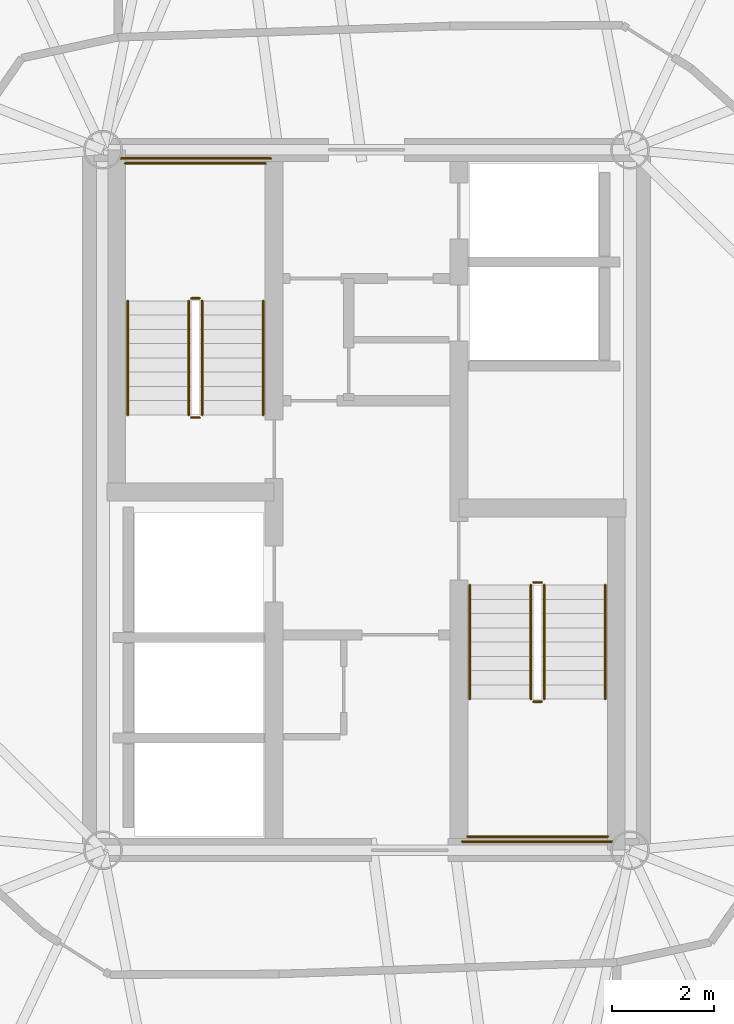
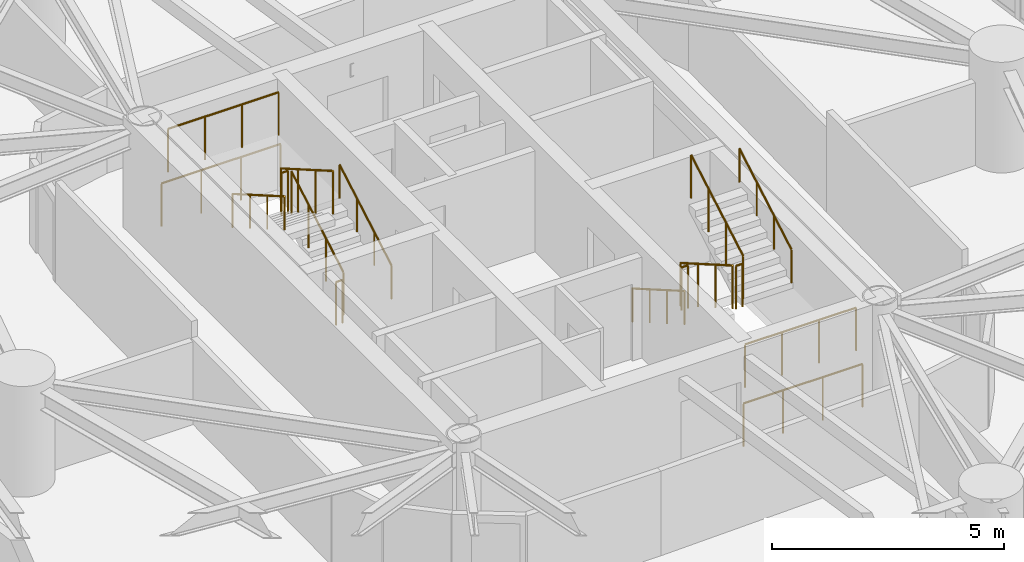
# One storey, part 15 of 16: 16 railings.
"""IFC4 building model written with IfcOpenShell, lengths in metres."""

from ifc_helpers import new_model, si_unit, direction, frame, origin, origin_2d, place, context, subcontext, project, spatial, circle, extrude, material, type_object, element, save


model = new_model("IFC4")

# Units and contexts
model_context = context("Model", 3, precision=1e-05, world=origin(), true_north=direction((0.0, 1.0)))
body_context = subcontext(model_context, "Body", "Model", "MODEL_VIEW")
ifc_project = project(units=[si_unit("LENGTHUNIT", "METRE"), si_unit("AREAUNIT", "SQUARE_METRE"), si_unit("VOLUMEUNIT", "CUBIC_METRE"), si_unit("PLANEANGLEUNIT", "RADIAN"), si_unit("MASSUNIT", "GRAM", prefix="KILO")], contexts=[model_context])

# Site, building, storey
site_placement = place(None, origin())
site = spatial("IfcSite", under=ifc_project, at=site_placement, CompositionType="ELEMENT")
building_placement = place(site_placement, origin())
building = spatial("IfcBuilding", under=site, at=building_placement, Name="Cununo Teusaquillo Station Towers", CompositionType="ELEMENT")
storey_placement = place(building_placement, frame((0.0, 0.0, 73.06005859375)))
storey = spatial("IfcBuildingStorey", under=building, at=storey_placement, Name="L22", CompositionType="ELEMENT", Elevation=73.06005859375)

# Railings
ifc_material_1 = material(Name="Steel EN 10025-2 S355J2", Category="steel")
railing_type_1 = type_object("IfcRailingType", Name="RL-INT-GUARD", PredefinedType="GUARDRAIL", material=ifc_material_1)
railing_1_placement = place(storey_placement, frame((13.27001953125, 26.169921875, 0.16162109375)))
element("IfcRailing", 1, at=railing_1_placement, inside=storey, type_object=railing_type_1, Name="L22 ST-T1-1 stair guard 1", PredefinedType="GUARDRAIL", context=body_context, shape_type="SweptSolid", body=[
    extrude(circle(Radius=0.02392578125, at=origin_2d()), frame((0.0, 0.0, 1.1259765625), z_axis=(0.0, 0.866033117094, 0.499986639918), x_axis=(-1.0, 0.0, 0.0)), (0.0, 0.0, 1.0), 2.58642578125),
    extrude(circle(Radius=0.02099609375, at=origin_2d()), origin(), (0.0, 0.0, 1.0), 1.101806640625),
    extrude(circle(Radius=0.02099609375, at=origin_2d()), frame((0.0, 0.74658203125, 0.43115234375)), (0.0, 0.0, 1.0), 1.101806640625),
    extrude(circle(Radius=0.02099609375, at=origin_2d()), frame((0.0, 1.493408203125, 0.862060546875)), (0.0, 0.0, 1.0), 1.101806640625),
    extrude(circle(Radius=0.02099609375, at=origin_2d()), frame((0.0, 2.239990234375, 1.293212890625)), (0.0, 0.0, 1.0), 1.101806640625),
])
railing_2_placement = place(storey_placement, frame((13.219970703125, 28.4599609375, 1.454833984375)))
element("IfcRailing", 2, at=railing_2_placement, inside=storey, type_object=railing_type_1, Name="L22 ST-T1-1 stair guard 2", PredefinedType="GUARDRAIL", context=body_context, shape_type="SweptSolid", body=[
    extrude(circle(Radius=0.02392578125, at=origin_2d()), frame((0.0, 0.0, 1.1259765625), z_axis=(-1.0, 0.0, 0.0), x_axis=(0.0, -1.0, 0.0)), (0.0, 0.0, 1.0), 0.159912109375),
    extrude(circle(Radius=0.02099609375, at=origin_2d()), origin(), (0.0, 0.0, 1.0), 1.101806640625),
    extrude(circle(Radius=0.02099609375, at=origin_2d()), frame((-0.159912109375, 0.0, 0.0)), (0.0, 0.0, 1.0), 1.101806640625),
])
railing_3_placement = place(storey_placement, frame((14.52001953125, 31.110107421875, 1.454833984375)))
element("IfcRailing", 3, at=railing_3_placement, inside=storey, type_object=railing_type_1, Name="L22 ST-T1-1 stair guard 3", PredefinedType="GUARDRAIL", context=body_context, shape_type="SweptSolid", body=[
    extrude(circle(Radius=0.02392578125, at=origin_2d()), frame((0.0, 0.0, 1.1259765625), z_axis=(-1.0, 0.0, 0.0), x_axis=(0.0, -1.0, 0.0)), (0.0, 0.0, 1.0), 2.760009765625),
    extrude(circle(Radius=0.02099609375, at=origin_2d()), origin(), (0.0, 0.0, 1.0), 1.101806640625),
    extrude(circle(Radius=0.02099609375, at=origin_2d()), frame((-0.919921875, 0.0, 0.0)), (0.0, 0.0, 1.0), 1.101806640625),
    extrude(circle(Radius=0.02099609375, at=origin_2d()), frame((-1.840087890625, 0.0, 0.0)), (0.0, 0.0, 1.0), 1.101806640625),
    extrude(circle(Radius=0.02099609375, at=origin_2d()), frame((-2.760009765625, 0.0, 0.0)), (0.0, 0.0, 1.0), 1.101806640625),
])
railing_4_placement = place(storey_placement, frame((13.010009765625, 28.409912109375, 1.61669921875)))
element("IfcRailing", 4, at=railing_4_placement, inside=storey, type_object=railing_type_1, Name="L22 ST-T1-1 stair guard 4", PredefinedType="GUARDRAIL", context=body_context, shape_type="SweptSolid", body=[
    extrude(circle(Radius=0.02392578125, at=origin_2d()), frame((0.0, 0.0, 1.1259765625), z_axis=(0.0, -0.866033117094, 0.499986639918), x_axis=(1.0, 0.0, 0.0)), (0.0, 0.0, 1.0), 2.58642578125),
    extrude(circle(Radius=0.02099609375, at=origin_2d()), origin(), (0.0, 0.0, 1.0), 1.101806640625),
    extrude(circle(Radius=0.02099609375, at=origin_2d()), frame((0.0, -0.74658203125, 0.43115234375)), (0.0, 0.0, 1.0), 1.101806640625),
    extrude(circle(Radius=0.02099609375, at=origin_2d()), frame((0.0, -1.493408203125, 0.862060546875)), (0.0, 0.0, 1.0), 1.101806640625),
    extrude(circle(Radius=0.02099609375, at=origin_2d()), frame((0.0, -2.239990234375, 1.293212890625)), (0.0, 0.0, 1.0), 1.101806640625),
])
railing_5_placement = place(storey_placement, frame((13.219970703125, 26.1201171875, 0.0)))
element("IfcRailing", 5, at=railing_5_placement, inside=storey, type_object=railing_type_1, Name="L22 ST-T1-1 stair guard 5", PredefinedType="GUARDRAIL", context=body_context, shape_type="SweptSolid", body=[
    extrude(circle(Radius=0.02392578125, at=origin_2d()), frame((0.0, 0.0, 1.1259765625), z_axis=(-1.0, 0.0, 0.0), x_axis=(0.0, -1.0, 0.0)), (0.0, 0.0, 1.0), 0.159912109375),
    extrude(circle(Radius=0.02099609375, at=origin_2d()), origin(), (0.0, 0.0, 1.0), 1.101806640625),
    extrude(circle(Radius=0.02099609375, at=origin_2d()), frame((-0.159912109375, 0.0, 0.0)), (0.0, 0.0, 1.0), 1.101806640625),
])
railing_6_placement = place(storey_placement, frame((14.6201171875, 31.2099609375, 0.0)))
element("IfcRailing", 6, at=railing_6_placement, inside=storey, type_object=railing_type_1, Name="L22 ST-T1-1 stair guard 6", PredefinedType="GUARDRAIL", context=body_context, shape_type="SweptSolid", body=[
    extrude(circle(Radius=0.02392578125, at=origin_2d()), frame((0.0, 0.0, 1.1259765625), z_axis=(-1.0, 0.0, 0.0), x_axis=(0.0, -1.0, 0.0)), (0.0, 0.0, 1.0), 2.960205078125),
    extrude(circle(Radius=0.02099609375, at=origin_2d()), origin(), (0.0, 0.0, 1.0), 1.101806640625),
    extrude(circle(Radius=0.02099609375, at=origin_2d()), frame((-0.98681640625, 0.0, 0.0)), (0.0, 0.0, 1.0), 1.101806640625),
    extrude(circle(Radius=0.02099609375, at=origin_2d()), frame((-1.973388671875, 0.0, 0.0)), (0.0, 0.0, 1.0), 1.101806640625),
    extrude(circle(Radius=0.02099609375, at=origin_2d()), frame((-2.960205078125, 0.0, 0.0)), (0.0, 0.0, 1.0), 1.101806640625),
])
railing_7_placement = place(storey_placement, frame((19.72998046875, 22.830078125, 0.16162109375)))
element("IfcRailing", 7, at=railing_7_placement, inside=storey, type_object=railing_type_1, Name="L22 ST-T1-2 stair guard 1", PredefinedType="GUARDRAIL", context=body_context, shape_type="SweptSolid", body=[
    extrude(circle(Radius=0.02392578125, at=origin_2d()), frame((0.0, 0.0, 1.1259765625), z_axis=(0.0, -0.866033117094, 0.499986639918), x_axis=(1.0, 0.0, 0.0)), (0.0, 0.0, 1.0), 2.58642578125),
    extrude(circle(Radius=0.02099609375, at=origin_2d()), origin(), (0.0, 0.0, 1.0), 1.101806640625),
    extrude(circle(Radius=0.02099609375, at=origin_2d()), frame((0.0, -0.74658203125, 0.43115234375)), (0.0, 0.0, 1.0), 1.101806640625),
    extrude(circle(Radius=0.02099609375, at=origin_2d()), frame((0.0, -1.493408203125, 0.862060546875)), (0.0, 0.0, 1.0), 1.101806640625),
    extrude(circle(Radius=0.02099609375, at=origin_2d()), frame((0.0, -2.239990234375, 1.293212890625)), (0.0, 0.0, 1.0), 1.101806640625),
])
railing_8_placement = place(storey_placement, frame((19.780029296875, 20.5400390625, 1.454833984375)))
element("IfcRailing", 8, at=railing_8_placement, inside=storey, type_object=railing_type_1, Name="L22 ST-T1-2 stair guard 2", PredefinedType="GUARDRAIL", context=body_context, shape_type="SweptSolid", body=[
    extrude(circle(Radius=0.02392578125, at=origin_2d()), frame((0.0, 0.0, 1.1259765625), z_axis=(1.0, 0.0, 0.0), x_axis=(0.0, 1.0, 0.0)), (0.0, 0.0, 1.0), 0.159912109375),
    extrude(circle(Radius=0.02099609375, at=origin_2d()), origin(), (0.0, 0.0, 1.0), 1.101806640625),
    extrude(circle(Radius=0.02099609375, at=origin_2d()), frame((0.159912109375, 0.0, 0.0)), (0.0, 0.0, 1.0), 1.101806640625),
])
railing_9_placement = place(storey_placement, frame((18.47998046875, 17.889892578125, 1.454833984375)))
element("IfcRailing", 9, at=railing_9_placement, inside=storey, type_object=railing_type_1, Name="L22 ST-T1-2 stair guard 3", PredefinedType="GUARDRAIL", context=body_context, shape_type="SweptSolid", body=[
    extrude(circle(Radius=0.02392578125, at=origin_2d()), frame((0.0, 0.0, 1.1259765625), z_axis=(1.0, 0.0, 0.0), x_axis=(0.0, 1.0, 0.0)), (0.0, 0.0, 1.0), 2.760009765625),
    extrude(circle(Radius=0.02099609375, at=origin_2d()), origin(), (0.0, 0.0, 1.0), 1.101806640625),
    extrude(circle(Radius=0.02099609375, at=origin_2d()), frame((0.919921875, 0.0, 0.0)), (0.0, 0.0, 1.0), 1.101806640625),
    extrude(circle(Radius=0.02099609375, at=origin_2d()), frame((1.840087890625, 0.0, 0.0)), (0.0, 0.0, 1.0), 1.101806640625),
    extrude(circle(Radius=0.02099609375, at=origin_2d()), frame((2.760009765625, 0.0, 0.0)), (0.0, 0.0, 1.0), 1.101806640625),
])
railing_10_placement = place(storey_placement, frame((19.989990234375, 20.590087890625, 1.61669921875)))
element("IfcRailing", 10, at=railing_10_placement, inside=storey, type_object=railing_type_1, Name="L22 ST-T1-2 stair guard 4", PredefinedType="GUARDRAIL", context=body_context, shape_type="SweptSolid", body=[
    extrude(circle(Radius=0.02392578125, at=origin_2d()), frame((0.0, 0.0, 1.1259765625), z_axis=(0.0, 0.866033117094, 0.499986639918), x_axis=(-1.0, 0.0, 0.0)), (0.0, 0.0, 1.0), 2.58642578125),
    extrude(circle(Radius=0.02099609375, at=origin_2d()), origin(), (0.0, 0.0, 1.0), 1.101806640625),
    extrude(circle(Radius=0.02099609375, at=origin_2d()), frame((0.0, 0.74658203125, 0.43115234375)), (0.0, 0.0, 1.0), 1.101806640625),
    extrude(circle(Radius=0.02099609375, at=origin_2d()), frame((0.0, 1.493408203125, 0.862060546875)), (0.0, 0.0, 1.0), 1.101806640625),
    extrude(circle(Radius=0.02099609375, at=origin_2d()), frame((0.0, 2.239990234375, 1.293212890625)), (0.0, 0.0, 1.0), 1.101806640625),
])
railing_11_placement = place(storey_placement, frame((19.780029296875, 22.8798828125, 0.0)))
element("IfcRailing", 11, at=railing_11_placement, inside=storey, type_object=railing_type_1, Name="L22 ST-T1-2 stair guard 5", PredefinedType="GUARDRAIL", context=body_context, shape_type="SweptSolid", body=[
    extrude(circle(Radius=0.02392578125, at=origin_2d()), frame((0.0, 0.0, 1.1259765625), z_axis=(1.0, 0.0, 0.0), x_axis=(0.0, 1.0, 0.0)), (0.0, 0.0, 1.0), 0.159912109375),
    extrude(circle(Radius=0.02099609375, at=origin_2d()), origin(), (0.0, 0.0, 1.0), 1.101806640625),
    extrude(circle(Radius=0.02099609375, at=origin_2d()), frame((0.159912109375, 0.0, 0.0)), (0.0, 0.0, 1.0), 1.101806640625),
])
railing_12_placement = place(storey_placement, frame((18.3798828125, 17.7900390625, 0.0)))
element("IfcRailing", 12, at=railing_12_placement, inside=storey, type_object=railing_type_1, Name="L22 ST-T1-2 stair guard 6", PredefinedType="GUARDRAIL", context=body_context, shape_type="SweptSolid", body=[
    extrude(circle(Radius=0.02392578125, at=origin_2d()), frame((0.0, 0.0, 1.1259765625), z_axis=(1.0, 0.0, 0.0), x_axis=(0.0, 1.0, 0.0)), (0.0, 0.0, 1.0), 2.960205078125),
    extrude(circle(Radius=0.02099609375, at=origin_2d()), origin(), (0.0, 0.0, 1.0), 1.101806640625),
    extrude(circle(Radius=0.02099609375, at=origin_2d()), frame((0.98681640625, 0.0, 0.0)), (0.0, 0.0, 1.0), 1.101806640625),
    extrude(circle(Radius=0.02099609375, at=origin_2d()), frame((1.973388671875, 0.0, 0.0)), (0.0, 0.0, 1.0), 1.101806640625),
    extrude(circle(Radius=0.02099609375, at=origin_2d()), frame((2.960205078125, 0.0, 0.0)), (0.0, 0.0, 1.0), 1.101806640625),
])
ifc_material_2 = material(Name="Steel EN 10025-2 S355J2", Category="steel")
railing_type_2 = type_object("IfcRailingType", Name="RL-INT-HRAIL", PredefinedType="HANDRAIL", material=ifc_material_2)
railing_13_placement = place(storey_placement, frame((14.469970703125, 26.169921875, 0.16162109375)))
element("IfcRailing", 13, at=railing_13_placement, inside=storey, type_object=railing_type_2, Name="L22 ST-T1-1 stair handrail 1", PredefinedType="HANDRAIL", context=body_context, shape_type="SweptSolid", body=[
    extrude(circle(Radius=0.02392578125, at=origin_2d()), frame((0.0, 0.0, 0.8759765625), z_axis=(0.0, 0.866033117094, 0.499986639918), x_axis=(-1.0, 0.0, 0.0)), (0.0, 0.0, 1.0), 2.58642578125),
    extrude(circle(Radius=0.02099609375, at=origin_2d()), origin(), (0.0, 0.0, 1.0), 0.851806640625),
    extrude(circle(Radius=0.02099609375, at=origin_2d()), frame((0.0, 0.74658203125, 0.43115234375)), (0.0, 0.0, 1.0), 0.851806640625),
    extrude(circle(Radius=0.02099609375, at=origin_2d()), frame((0.0, 1.493408203125, 0.862060546875)), (0.0, 0.0, 1.0), 0.851806640625),
    extrude(circle(Radius=0.02099609375, at=origin_2d()), frame((0.0, 2.239990234375, 1.293212890625)), (0.0, 0.0, 1.0), 0.851806640625),
])
for number, where, name in (
    (14, (11.81005859375, 28.409912109375, 1.61669921875), "L22 ST-T1-1 stair handrail 2"),
    (15, (18.530029296875, 22.830078125, 0.16162109375), "L22 ST-T1-2 stair handrail 1"),
):
    element("IfcRailing", number, at=place(storey_placement, frame(where)), inside=storey, type_object=railing_type_2, Name=name, PredefinedType="HANDRAIL", context=body_context, shape_type="SweptSolid", body=[
        extrude(circle(Radius=0.02392578125, at=origin_2d()), frame((0.0, 0.0, 0.8759765625), z_axis=(0.0, -0.866033117094, 0.499986639918), x_axis=(1.0, 0.0, 0.0)), (0.0, 0.0, 1.0), 2.58642578125),
        extrude(circle(Radius=0.02099609375, at=origin_2d()), origin(), (0.0, 0.0, 1.0), 0.851806640625),
        extrude(circle(Radius=0.02099609375, at=origin_2d()), frame((0.0, -0.74658203125, 0.43115234375)), (0.0, 0.0, 1.0), 0.851806640625),
        extrude(circle(Radius=0.02099609375, at=origin_2d()), frame((0.0, -1.493408203125, 0.862060546875)), (0.0, 0.0, 1.0), 0.851806640625),
        extrude(circle(Radius=0.02099609375, at=origin_2d()), frame((0.0, -2.239990234375, 1.293212890625)), (0.0, 0.0, 1.0), 0.851806640625),
    ])
railing_14_placement = place(storey_placement, frame((21.18994140625, 20.590087890625, 1.61669921875)))
element("IfcRailing", 16, at=railing_14_placement, inside=storey, type_object=railing_type_2, Name="L22 ST-T1-2 stair handrail 2", PredefinedType="HANDRAIL", context=body_context, shape_type="SweptSolid", body=[
    extrude(circle(Radius=0.02392578125, at=origin_2d()), frame((0.0, 0.0, 0.8759765625), z_axis=(0.0, 0.866033117094, 0.499986639918), x_axis=(-1.0, 0.0, 0.0)), (0.0, 0.0, 1.0), 2.58642578125),
    extrude(circle(Radius=0.02099609375, at=origin_2d()), origin(), (0.0, 0.0, 1.0), 0.851806640625),
    extrude(circle(Radius=0.02099609375, at=origin_2d()), frame((0.0, 0.74658203125, 0.43115234375)), (0.0, 0.0, 1.0), 0.851806640625),
    extrude(circle(Radius=0.02099609375, at=origin_2d()), frame((0.0, 1.493408203125, 0.862060546875)), (0.0, 0.0, 1.0), 0.851806640625),
    extrude(circle(Radius=0.02099609375, at=origin_2d()), frame((0.0, 2.239990234375, 1.293212890625)), (0.0, 0.0, 1.0), 0.851806640625),
])

save(model, "model.ifc")
